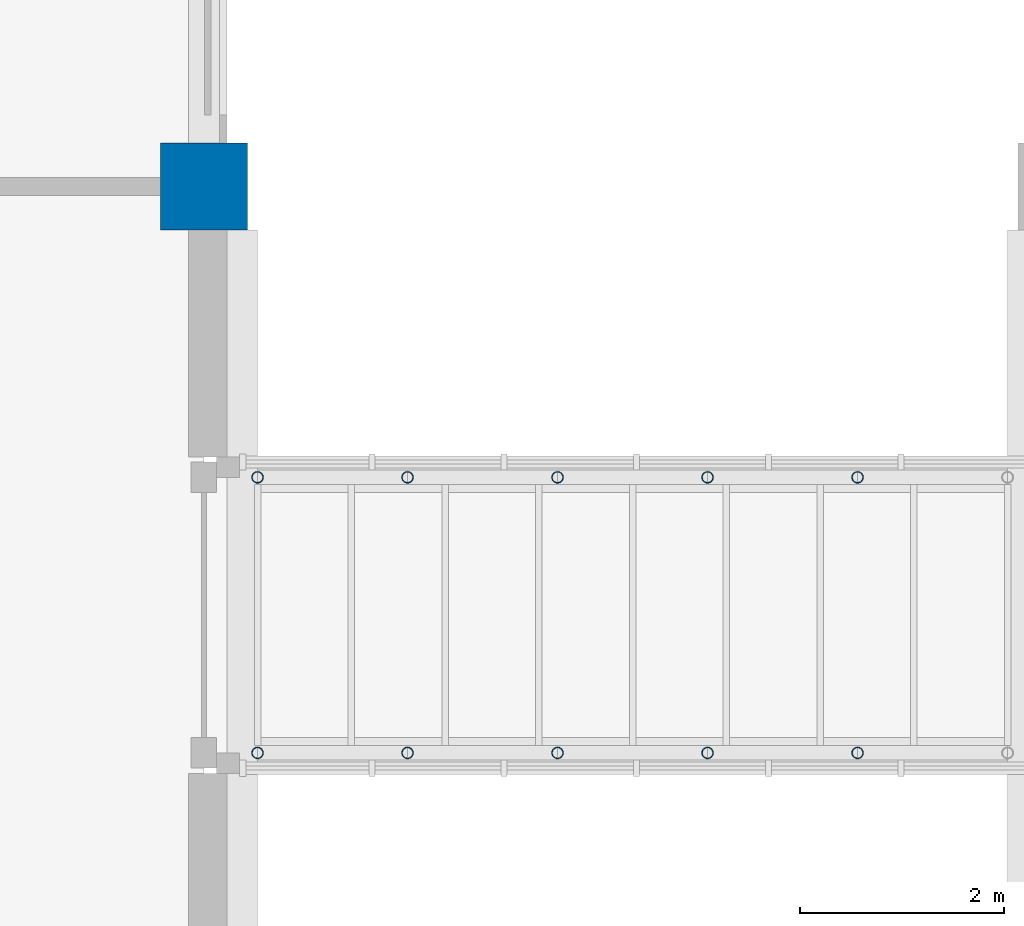
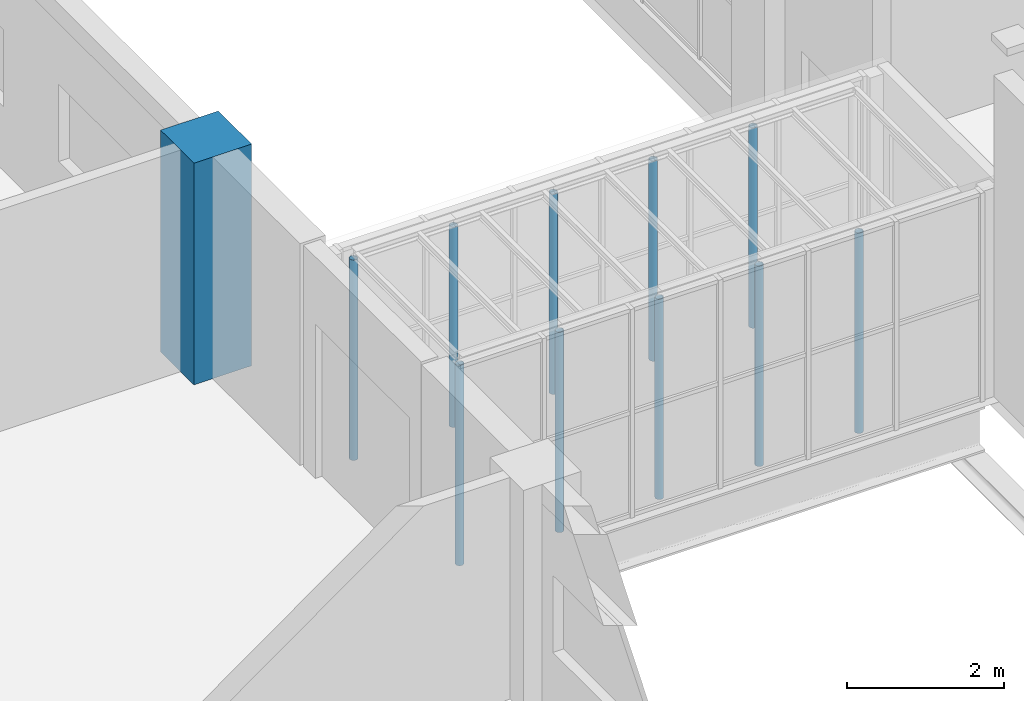
# One storey, part 6 of 94: 11 columns.
"""IFC4 building model written with IfcOpenShell, lengths in metres."""

import ifcopenshell
import ifcopenshell.guid

model = None  # the IFC model being written
_history = None  # IfcOwnerHistory: only IFC2X3 demands one
_inside = {}  # id of a spatial element -> (the spatial element, [elements in it])
_under = {}  # id of a project, library or spatial element -> (it, [spatial elements below it])
_declared = {}  # id of a project -> (the project, [libraries it declares])
_typed = {}  # id of a type object -> (the type object, [elements of that type])
_made_of = {}  # id of a material, layer set ... -> (it, [elements and type objects made of it])


def new_model(schema):
    """Start an empty IFC model of exactly this schema.

    Asked for "IFC4X3", IfcOpenShell would pick the latest addendum, in which some entities
    have other attributes; the version numbers below select the first issue.
    IFC2X3 requires an IfcOwnerHistory on every rooted entity: one is made here for all.
    """
    global model, _history
    if schema == "IFC4X3":
        model = ifcopenshell.file(schema_version=(4, 3, 0, 0))
    else:
        model = ifcopenshell.file(schema=schema)
    _inside.clear()
    _under.clear()
    _declared.clear()
    _typed.clear()
    _made_of.clear()
    _history = None
    if model.schema == "IFC2X3":
        org = make("IfcOrganization", Name="unknown")
        user = make(
            "IfcPersonAndOrganization",
            ThePerson=make("IfcPerson", FamilyName="unknown"),
            TheOrganization=org,
        )
        app = make(
            "IfcApplication",
            ApplicationDeveloper=org,
            Version="unknown",
            ApplicationFullName="unknown",
            ApplicationIdentifier="unknown",
        )
        _history = make(
            "IfcOwnerHistory",
            OwningUser=user,
            OwningApplication=app,
            ChangeAction="ADDED",
            CreationDate=0,
        )
    return model


def make(cls, **values):
    """One entity of the class cls with the attributes given. An attribute that is None is left unset."""
    return model.create_entity(
        cls, **{name: value for name, value in values.items() if value is not None}
    )


def rooted(cls, **values):
    """An entity with a GlobalId (a new one), such as an element, a storey or a relation."""
    return make(cls, GlobalId=ifcopenshell.guid.new(), OwnerHistory=_history, **values)


def si_unit(unit_type, name, prefix=None):
    """IfcSIUnit, for example si_unit("LENGTHUNIT", "METRE", prefix="MILLI")."""
    return make("IfcSIUnit", UnitType=unit_type, Prefix=prefix, Name=name)


def assignment(units):
    """IfcUnitAssignment: the units of a project."""
    return None if units is None else make("IfcUnitAssignment", Units=units)


def point(xyz):
    """IfcCartesianPoint."""
    return None if xyz is None else make("IfcCartesianPoint", Coordinates=xyz)


def direction(xyz):
    """IfcDirection."""
    return None if xyz is None else make("IfcDirection", DirectionRatios=xyz)


def frame(location, z_axis=None, x_axis=None):
    """IfcAxis2Placement3D, a coordinate frame: its origin and axes. An axis left out is left unset."""
    return make(
        "IfcAxis2Placement3D",
        Location=point(location),
        Axis=direction(z_axis),
        RefDirection=direction(x_axis),
    )


def frame_2d(location, x_axis=None):
    """IfcAxis2Placement2D, a coordinate frame in the plane: its origin and x axis."""
    return make(
        "IfcAxis2Placement2D", Location=point(location), RefDirection=direction(x_axis)
    )


def origin():
    """The frame at (0, 0, 0) with its axes left unset."""
    return frame((0.0, 0.0, 0.0))


def origin_2d():
    """The frame at (0, 0) in the plane with its x axis left unset."""
    return frame_2d((0.0, 0.0))


def place(relative_to, where):
    """IfcLocalPlacement: puts the frame where relative to a parent placement (None: the world)."""
    return make(
        "IfcLocalPlacement", PlacementRelTo=relative_to, RelativePlacement=where
    )


def context(
    kind, dimensions, precision=None, world=None, true_north=None, identifier=None
):
    """IfcGeometricRepresentationContext, for example the 3D "Model" context."""
    return make(
        "IfcGeometricRepresentationContext",
        ContextIdentifier=identifier,
        ContextType=kind,
        CoordinateSpaceDimension=dimensions,
        Precision=precision,
        WorldCoordinateSystem=world,
        TrueNorth=true_north,
    )


def subcontext(parent, identifier, kind, view, scale=None):
    """IfcGeometricRepresentationSubContext, for example "Body" below "Model"."""
    return make(
        "IfcGeometricRepresentationSubContext",
        ContextIdentifier=identifier,
        ContextType=kind,
        ParentContext=parent,
        TargetScale=scale,
        TargetView=view,
    )


def project(units=None, contexts=None):
    """IfcProject with its units and contexts."""
    return rooted(
        "IfcProject",
        Name="project",
        RepresentationContexts=contexts,
        UnitsInContext=assignment(units),
    )


def spatial(cls, under=None, at=None, **own):
    """A site, building, storey or space (cls), placed at a placement, below another one or the project."""
    s = rooted(cls, ObjectPlacement=at, **own)
    if under is not None:
        _under.setdefault(under.id(), (under, []))[1].append(s)
    return s


def profile(cls, at=None, kind="AREA", **sizes):
    """A parametric profile (cls). Its sizes go by their IFC names, for example OverallWidth=200.0."""
    return make(cls, ProfileType=kind, Position=at, **sizes)


def rectangle(**sizes):
    """IfcRectangleProfileDef."""
    return profile("IfcRectangleProfileDef", **sizes)


def hollow_circle(**sizes):
    """IfcCircleHollowProfileDef."""
    return profile("IfcCircleHollowProfileDef", **sizes)


def extrude(swept, where, along, depth):
    """IfcExtrudedAreaSolid: the profile swept, set in the frame where, extruded along a direction by depth."""
    return make(
        "IfcExtrudedAreaSolid",
        SweptArea=swept,
        Position=where,
        ExtrudedDirection=direction(along),
        Depth=depth,
    )


def shape(context_of_items, identifier, shape_type, items):
    """IfcShapeRepresentation: the items that make up one representation, for example the "Body"."""
    return make(
        "IfcShapeRepresentation",
        ContextOfItems=context_of_items,
        RepresentationIdentifier=identifier,
        RepresentationType=shape_type,
        Items=items,
    )


def material(Name=None, Category=None):
    """IfcMaterial."""
    return make("IfcMaterial", Name=Name, Category=Category)


def material_profile(
    of_material, cross_section, Name=None, Category=None, Priority=None
):
    """IfcMaterialProfile: a cross section and its material."""
    return make(
        "IfcMaterialProfile",
        Name=Name,
        Material=of_material,
        Profile=cross_section,
        Priority=Priority,
        Category=Category,
    )


def profile_set(profiles, Name=None, composite=None):
    """IfcMaterialProfileSet."""
    return make(
        "IfcMaterialProfileSet",
        Name=Name,
        MaterialProfiles=profiles,
        CompositeProfile=composite,
    )


def made_of(thing, what):
    """Note that an element or type object is made of a material, layer set ...; save() writes the relation."""
    if what is not None:
        _made_of.setdefault(what.id(), (what, []))[1].append(thing)
    return thing


def type_object(cls, material=None, **own):
    """A type object (cls), such as IfcWallType, which elements share."""
    return made_of(rooted(cls, **own), material)


def element(
    cls,
    number,
    at=None,
    inside=None,
    cuts=None,
    type_object=None,
    material=None,
    context=None,
    identifier="Body",
    shape_type=None,
    held_by="IfcProductDefinitionShape",
    body=None,
    shapes=None,
    **own,
):
    """One element of the class cls, such as IfcWall. Its Tag is "e" and its number.

    at: its placement. inside: the storey or other place that contains it. cuts: it is an
    opening in that element (IfcRelVoidsElement). A single representation is given by context,
    identifier, shape_type and body (its items); several are given by shapes. held_by: the class
    of the entity that holds the representations. save() writes the other relations.
    """
    e = rooted(cls, Tag="e%d" % number, ObjectPlacement=at, **own)
    if body is not None:
        shapes = [shape(context, identifier, shape_type, body)]
    if shapes is not None:
        e.Representation = make(held_by, Representations=shapes)
    if inside is not None:
        _inside.setdefault(inside.id(), (inside, []))[1].append(e)
    if cuts is not None:
        rooted(
            "IfcRelVoidsElement", RelatingBuildingElement=cuts, RelatedOpeningElement=e
        )
    if type_object is not None:
        _typed.setdefault(type_object.id(), (type_object, []))[1].append(e)
    return made_of(e, material)


def aggregate(whole, parts):
    """IfcRelAggregates: a whole, such as a stair, and the parts it consists of."""
    return rooted("IfcRelAggregates", RelatingObject=whole, RelatedObjects=parts)


def save(model, path):
    """Write the relations noted so far, then the file.

    IfcRelAggregates (storeys below a building ...), IfcRelContainedInSpatialStructure (elements
    in a storey), IfcRelDefinesByType, IfcRelAssociatesMaterial and IfcRelDeclares: one each for
    every whole, place, type object, material and project.
    """
    for whole, parts in _under.values():
        aggregate(whole, parts)
    for where, things in _inside.values():
        rooted(
            "IfcRelContainedInSpatialStructure",
            RelatedElements=things,
            RelatingStructure=where,
        )
    for kind, things in _typed.values():
        rooted("IfcRelDefinesByType", RelatedObjects=things, RelatingType=kind)
    for what, things in _made_of.values():
        rooted("IfcRelAssociatesMaterial", RelatedObjects=things, RelatingMaterial=what)
    for by, libraries in _declared.values():
        rooted("IfcRelDeclares", RelatingContext=by, RelatedDefinitions=libraries)
    model.write(path)


model = new_model("IFC4")

# Units and contexts
model_context = context("Model", 3, precision=1e-05, world=origin(), true_north=direction((0.0, 1.0)))
body_context = subcontext(model_context, "Body", "Model", "MODEL_VIEW")
ifc_project = project(units=[si_unit("LENGTHUNIT", "METRE"), si_unit("AREAUNIT", "SQUARE_METRE"), si_unit("VOLUMEUNIT", "CUBIC_METRE"), si_unit("PLANEANGLEUNIT", "RADIAN"), si_unit("MASSUNIT", "GRAM", prefix="KILO")], contexts=[model_context])

# Site, building, storey
site_placement = place(None, origin())
site = spatial("IfcSite", under=ifc_project, at=site_placement, CompositionType="ELEMENT")
building_placement = place(site_placement, origin())
building = spatial("IfcBuilding", under=site, at=building_placement, Name="Yavir Park General Hospital", CompositionType="ELEMENT")
storey_placement = place(building_placement, frame((0.0, 0.0, 4.5)))
storey = spatial("IfcBuildingStorey", under=building, at=storey_placement, Name="L01", CompositionType="ELEMENT", Elevation=4.5)

# Columns
ifc_material_1 = material(Name="Steel S355", Category="steel")
ifc_material_profile_1 = material_profile(ifc_material_1, hollow_circle(Radius=0.05712890625, WallThickness=0.00634765625, at=origin_2d()), Name="CHS114.3x6.3")
ifc_profile_set_1 = profile_set([ifc_material_profile_1], Name="Steel S355")
column_type_1 = type_object("IfcColumnType", Name="CHS 114.3x6.3 roof post", PredefinedType="COLUMN", material=ifc_profile_set_1)
for number, where, z_axis, x_axis, name in (
    (1, (25.72509765625, 61.64990234375, 0.0), (0.0, 0.0, 1.0), (1.0, 0.0, 0.0), "RF:BRW:frame:P:0"),
    (2, (27.195068359375, 61.64990234375, 0.0), (0.0, 0.0, 1.0), (1.0, 0.0, 0.0), "RF:BRW:frame:P:1"),
    (3, (28.6650390625, 61.64990234375, 0.0), (0.0, 0.0, 1.0), (1.0, 0.0, 0.0), "RF:BRW:frame:P:2"),
    (4, (30.135009765625, 61.64990234375, 0.0), (0.0, 0.0, 1.0), (1.0, 0.0, 0.0), "RF:BRW:frame:P:3"),
    (5, (31.60498046875, 61.64990234375, 0.0), (0.0, 0.0, 1.0), (1.0, 0.0, 0.0), "RF:BRW:frame:P:4"),
    (6, (25.72509765625, 64.35009765625, 0.0), (0.0, 0.0, 1.0), (1.0, 0.0, 0.0), "RF:BRW:frame:P:6"),
    (7, (27.195068359375, 64.35009765625, 0.0), (0.0, 0.0, 1.0), (1.0, 0.0, 0.0), "RF:BRW:frame:P:7"),
    (8, (28.6650390625, 64.35009765625, 0.0), (0.0, 0.0, 1.0), (1.0, 0.0, 0.0), "RF:BRW:frame:P:8"),
    (9, (30.135009765625, 64.35009765625, 0.0), (0.0, 0.0, 1.0), (1.0, 0.0, 0.0), "RF:BRW:frame:P:9"),
    (10, (31.60498046875, 64.35009765625, 0.0), (0.0, 0.0, 1.0), (1.0, 0.0, 0.0), "RF:BRW:frame:P:10"),
):
    element("IfcColumn", number, at=place(storey_placement, frame(where, z_axis=z_axis, x_axis=x_axis)), inside=storey, type_object=column_type_1, Name=name, PredefinedType="COLUMN", context=body_context, shape_type="SweptSolid", body=[
        extrude(hollow_circle(Radius=0.05712890625, WallThickness=0.00634765625, at=origin_2d()), origin(), (0.0, 0.0, 1.0), 3.116943359375),
    ])
ifc_material_2 = material(Name="Concrete C40/50", Category="concrete")
ifc_material_profile_2 = material_profile(ifc_material_2, rectangle(XDim=0.85009765625, YDim=0.85009765625, at=origin_2d()), Name="RC850x850")
ifc_profile_set_2 = profile_set([ifc_material_profile_2], Name="Concrete C40/50")
column_type_2 = type_object("IfcColumnType", Name="RC COLUMN 850x850", PredefinedType="COLUMN", material=ifc_profile_set_2)
column_placement = place(storey_placement, frame((25.199951171875, 67.199951171875, 0.0), z_axis=(0.0, 0.0, 1.0), x_axis=(1.0, 0.0, 0.0)))
element("IfcColumn", 11, at=column_placement, inside=storey, type_object=column_type_2, Name="C:L01:4J", PredefinedType="COLUMN", context=body_context, shape_type="SweptSolid", body=[
    extrude(rectangle(XDim=0.85009765625, YDim=0.85009765625, at=origin_2d()), origin(), (0.0, 0.0, 1.0), 3.449951171875),
])

save(model, "model.ifc")
